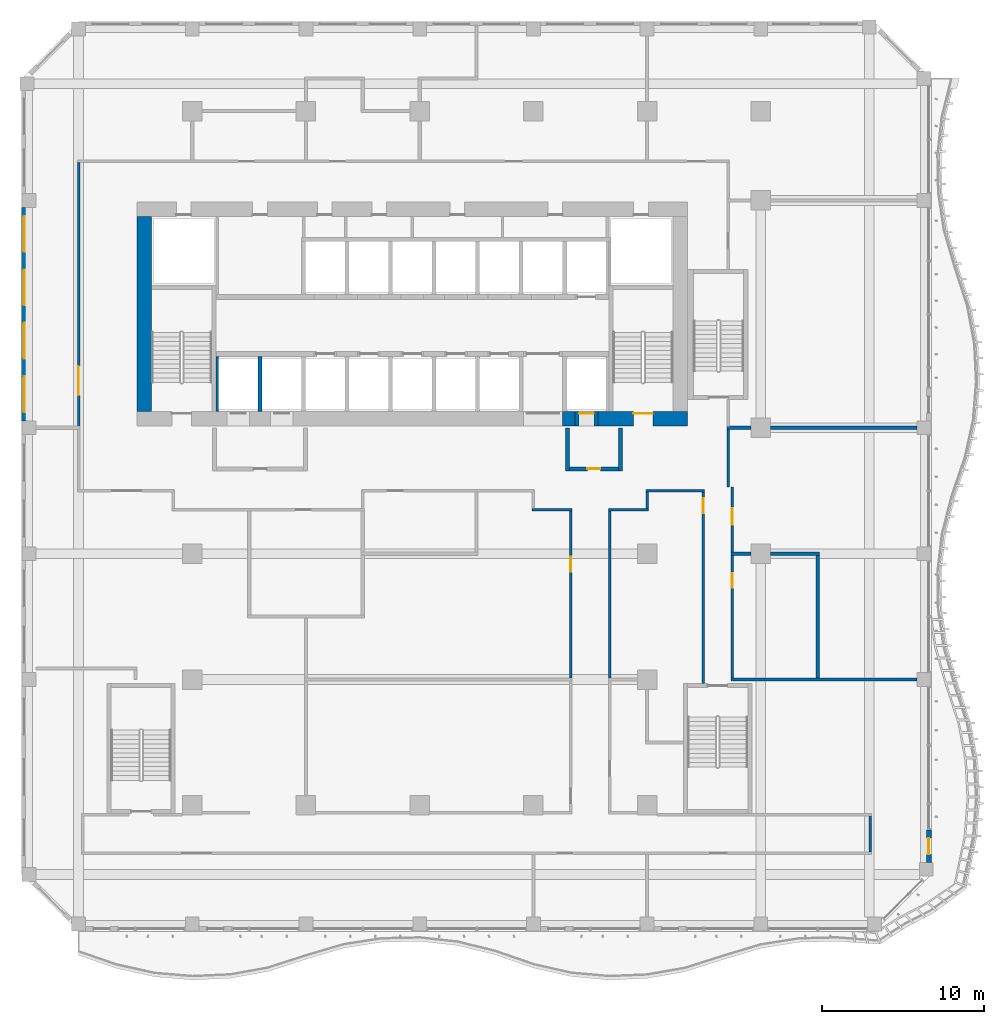
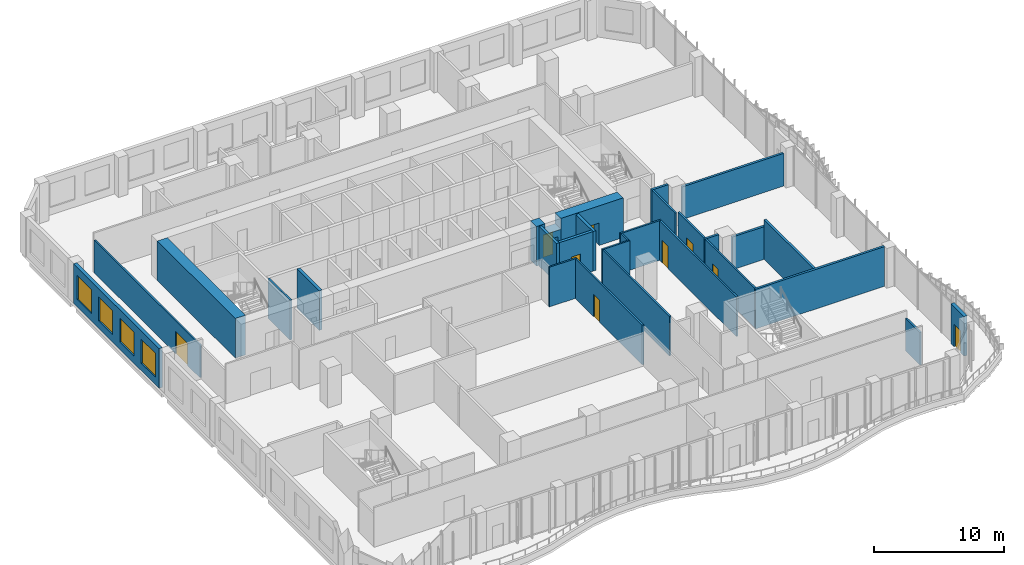
# One storey, part 14 of 26: 29 walls, 9 doors, 4 windows, 13 openings.
"""IFC4 building model written with IfcOpenShell, lengths in metres."""

from ifc_helpers import new_model, si_unit, direction, frame, frame_2d, origin, place, context, subcontext, project, spatial, rectangle, extrude, source, transform, mapped, material, layer, layer_set, type_object, element, fill, save


model = new_model("IFC4")

# Units and contexts
model_context = context("Model", 3, precision=1e-05, world=origin(), true_north=direction((0.0, 1.0)))
body_context = subcontext(model_context, "Body", "Model", "MODEL_VIEW")
ifc_project = project(units=[si_unit("LENGTHUNIT", "METRE"), si_unit("AREAUNIT", "SQUARE_METRE"), si_unit("VOLUMEUNIT", "CUBIC_METRE"), si_unit("PLANEANGLEUNIT", "RADIAN"), si_unit("MASSUNIT", "GRAM", prefix="KILO")], contexts=[model_context])

# Site, building, storey
site_placement = place(None, origin())
site = spatial("IfcSite", under=ifc_project, at=site_placement, CompositionType="ELEMENT")
building_placement = place(site_placement, origin())
building = spatial("IfcBuilding", under=site, at=building_placement, Name="Kilnfold Tower and Market Hall", CompositionType="ELEMENT")
storey_placement = place(building_placement, frame((0.0, 0.0, 104.60009765625)))
storey = spatial("IfcBuildingStorey", under=building, at=storey_placement, Name="L24", CompositionType="ELEMENT", Elevation=104.60009765625)

# Wall, opening, door
ifc_material_1 = material(Name="Gypsum board on steel studs", Category="steel")
ifc_layer_1 = layer(ifc_material_1, 0.14990234375)
ifc_layer_set_1 = layer_set([ifc_layer_1], Name="Gypsum board on steel studs")
wall_type_1 = type_object("IfcWallType", Name="WALL CORRIDOR 150", PredefinedType="PARTITIONING", material=ifc_layer_set_1)
wall_1_placement = place(storey_placement, frame((10.800048828125, -7.409912109375, 0.0), z_axis=(0.0, 0.0, 1.0), x_axis=(0.0, 1.0, 0.0)))
wall_1 = element("IfcWall", 1, at=wall_1_placement, inside=storey, type_object=wall_type_1, Name="Partition LY16.16", PredefinedType="PARTITIONING", context=body_context, shape_type="SweptSolid", body=[
    extrude(rectangle(XDim=10.284912109375, YDim=0.14990234375, at=frame_2d((5.142578125, 0.0))), origin(), (0.0, 0.0, 1.0), 3.719970703125),
])
opening_1_placement = place(wall_1_placement, frame((6.56005859375, 0.0, 0.0)))
opening_1 = element("IfcOpeningElement", 2, at=opening_1_placement, cuts=wall_1, Name="Opening D2", PredefinedType="OPENING", context=body_context, shape_type="SweptSolid", body=[
    extrude(rectangle(XDim=0.89990234375, YDim=2.10009765625, at=frame_2d((0.449951171875, 1.050048828125))), frame((0.0, 0.0849609375, 0.0), z_axis=(0.0, -1.0, 0.0), x_axis=(1.0, 0.0, 0.0)), (0.0, 0.0, 1.0), 0.169921875),
])
ifc_material_2 = material(Name="Timber veneer door leaf in steel frame", Category="steel")
door_type_1 = type_object("IfcDoorType", Name="DOOR ROOM 900 X2100", OperationType="NOTDEFINED", PredefinedType="DOOR", material=ifc_material_2)
door_1_placement = place(opening_1_placement, origin())
door_1 = element("IfcDoor", 3, at=door_1_placement, inside=storey, type_object=door_type_1, Name="Door D2", OperationType="SINGLE_SWING_LEFT", OverallHeight=2.10009765625, OverallWidth=0.89990234375, PredefinedType="DOOR", context=body_context, shape_type="SweptSolid", body=[
    extrude(rectangle(XDim=0.89990234375, YDim=2.10009765625, at=frame_2d((0.449951171875, 1.050048828125))), frame((0.0, 0.02490234375, 0.0), z_axis=(0.0, -1.0, 0.0), x_axis=(1.0, 0.0, 0.0)), (0.0, 0.0, 1.0), 0.050048828125),
])
fill(opening_1, door_1)

# Walls
wall_2_placement = place(storey_placement, frame((8.425048828125, 2.949951171875, 0.0), z_axis=(0.0, 0.0, 1.0), x_axis=(1.0, 0.0, 0.0)))
element("IfcWall", 4, at=wall_2_placement, inside=storey, type_object=wall_type_1, Name="Partition LY16.17", PredefinedType="PARTITIONING", context=body_context, shape_type="SweptSolid", body=[
    extrude(rectangle(XDim=2.449951171875, YDim=0.14990234375, at=frame_2d((1.22509765625, 0.0))), origin(), (0.0, 0.0, 1.0), 3.719970703125),
])
wall_3_placement = place(storey_placement, frame((29.25, -18.125, 0.0), z_axis=(0.0, 0.0, 1.0), x_axis=(0.0, 1.0, 0.0)))
element("IfcWall", 5, at=wall_3_placement, inside=storey, type_object=wall_type_1, Name="Partition LY16.22", PredefinedType="PARTITIONING", context=body_context, shape_type="SweptSolid", body=[
    extrude(rectangle(XDim=2.22509765625, YDim=0.14990234375, at=frame_2d((1.112548828125, 0.0))), origin(), (0.0, 0.0, 1.0), 3.06982421875),
])

# Wall, opening, door
wall_4_placement = place(storey_placement, frame((18.949951171875, 4.050048828125, 0.0), z_axis=(0.0, 0.0, 1.0), x_axis=(0.0, -1.0, 0.0)))
wall_4 = element("IfcWall", 6, at=wall_4_placement, inside=storey, type_object=wall_type_1, Name="Partition LY16.23", PredefinedType="PARTITIONING", context=body_context, shape_type="SweptSolid", body=[
    extrude(rectangle(XDim=11.800048828125, YDim=0.14990234375, at=frame_2d((5.89990234375, 0.0))), origin(), (0.0, 0.0, 1.0), 3.719970703125),
])
opening_2_placement = place(wall_4_placement, frame((0.39990234375, 0.0, 0.0)))
opening_2 = element("IfcOpeningElement", 7, at=opening_2_placement, cuts=wall_4, Name="Opening D2", PredefinedType="OPENING", context=body_context, shape_type="SweptSolid", body=[
    extrude(rectangle(XDim=0.89990234375, YDim=2.10009765625, at=frame_2d((0.449951171875, 1.050048828125))), frame((0.0, 0.0849609375, 0.0), z_axis=(0.0, -1.0, 0.0), x_axis=(1.0, 0.0, 0.0)), (0.0, 0.0, 1.0), 0.169921875),
])
door_2_placement = place(opening_2_placement, origin())
door_2 = element("IfcDoor", 8, at=door_2_placement, inside=storey, type_object=door_type_1, Name="Door D2", OperationType="SINGLE_SWING_LEFT", OverallHeight=2.10009765625, OverallWidth=0.89990234375, PredefinedType="DOOR", context=body_context, shape_type="SweptSolid", body=[
    extrude(rectangle(XDim=0.89990234375, YDim=2.10009765625, at=frame_2d((0.449951171875, 1.050048828125))), frame((0.0, 0.02490234375, 0.0), z_axis=(0.0, -1.0, 0.0), x_axis=(1.0, 0.0, 0.0)), (0.0, 0.0, 1.0), 0.050048828125),
])
fill(opening_2, door_2)

# Walls
wall_5_placement = place(storey_placement, frame((15.425048828125, 4.125, 0.0), z_axis=(0.0, 0.0, 1.0), x_axis=(1.0, 0.0, 0.0)))
element("IfcWall", 9, at=wall_5_placement, inside=storey, type_object=wall_type_1, Name="Partition LY16.24", PredefinedType="PARTITIONING", context=body_context, shape_type="SweptSolid", body=[
    extrude(rectangle(XDim=3.599853515625, YDim=0.14990234375, at=frame_2d((1.7998046875, 0.0))), origin(), (0.0, 0.0, 1.0), 3.719970703125),
])
wall_6_placement = place(storey_placement, frame((15.5, 3.02490234375, 0.0), z_axis=(0.0, 0.0, 1.0), x_axis=(0.0, 1.0, 0.0)))
element("IfcWall", 10, at=wall_6_placement, inside=storey, type_object=wall_type_1, Name="Partition LY16.25", PredefinedType="PARTITIONING", context=body_context, shape_type="SweptSolid", body=[
    extrude(rectangle(XDim=1.025146484375, YDim=0.14990234375, at=frame_2d((0.5126953125, 0.0))), origin(), (0.0, 0.0, 1.0), 3.719970703125),
])
wall_7_placement = place(storey_placement, frame((13.125, 2.949951171875, 0.0), z_axis=(0.0, 0.0, 1.0), x_axis=(1.0, 0.0, 0.0)))
element("IfcWall", 11, at=wall_7_placement, inside=storey, type_object=wall_type_1, Name="Partition LY16.26", PredefinedType="PARTITIONING", context=body_context, shape_type="SweptSolid", body=[
    extrude(rectangle(XDim=2.449951171875, YDim=0.14990234375, at=frame_2d((1.22509765625, 0.0))), origin(), (0.0, 0.0, 1.0), 3.719970703125),
])
wall_8_placement = place(storey_placement, frame((13.199951171875, -7.409912109375, 0.0), z_axis=(0.0, 0.0, 1.0), x_axis=(0.0, 1.0, 0.0)))
element("IfcWall", 12, at=wall_8_placement, inside=storey, type_object=wall_type_1, Name="Partition LY16.27", PredefinedType="PARTITIONING", context=body_context, shape_type="SweptSolid", body=[
    extrude(rectangle(XDim=10.284912109375, YDim=0.14990234375, at=frame_2d((5.142578125, 0.0))), origin(), (0.0, 0.0, 1.0), 3.719970703125),
])

# Wall, opening, door
wall_9_placement = place(storey_placement, frame((20.75, -7.409912109375, 0.0), z_axis=(0.0, 0.0, 1.0), x_axis=(0.0, 1.0, 0.0)))
wall_9 = element("IfcWall", 13, at=wall_9_placement, inside=storey, type_object=wall_type_1, Name="Partition LY16.28", PredefinedType="PARTITIONING", context=body_context, shape_type="SweptSolid", body=[
    extrude(rectangle(XDim=7.56982421875, YDim=0.14990234375, at=frame_2d((3.784912109375, 0.0))), origin(), (0.0, 0.0, 1.0), 3.719970703125),
])
opening_3_placement = place(wall_9_placement, frame((5.56005859375, 0.0, 0.0)))
opening_3 = element("IfcOpeningElement", 14, at=opening_3_placement, cuts=wall_9, Name="Opening D2", PredefinedType="OPENING", context=body_context, shape_type="SweptSolid", body=[
    extrude(rectangle(XDim=0.89990234375, YDim=2.10009765625, at=frame_2d((0.449951171875, 1.050048828125))), frame((0.0, 0.0849609375, 0.0), z_axis=(0.0, -1.0, 0.0), x_axis=(1.0, 0.0, 0.0)), (0.0, 0.0, 1.0), 0.169921875),
])
door_3_placement = place(opening_3_placement, origin())
door_3 = element("IfcDoor", 15, at=door_3_placement, inside=storey, type_object=door_type_1, Name="Door D2", OperationType="SINGLE_SWING_RIGHT", OverallHeight=2.10009765625, OverallWidth=0.89990234375, PredefinedType="DOOR", context=body_context, shape_type="SweptSolid", body=[
    extrude(rectangle(XDim=0.89990234375, YDim=2.10009765625, at=frame_2d((0.449951171875, 1.050048828125))), frame((0.0, 0.02490234375, 0.0), z_axis=(0.0, -1.0, 0.0), x_axis=(1.0, 0.0, 0.0)), (0.0, 0.0, 1.0), 0.050048828125),
])
fill(opening_3, door_3)

# Wall
wall_10_placement = place(storey_placement, frame((20.5, 4.35009765625, 0.0), z_axis=(0.0, 0.0, 1.0), x_axis=(0.0, 1.0, 0.0)))
element("IfcWall", 16, at=wall_10_placement, inside=storey, type_object=wall_type_1, Name="Partition LY16.29", PredefinedType="PARTITIONING", context=body_context, shape_type="SweptSolid", body=[
    extrude(rectangle(XDim=3.559814453125, YDim=0.14990234375, at=frame_2d((1.77978515625, 0.0))), origin(), (0.0, 0.0, 1.0), 3.719970703125),
])

# Wall, opening, door
wall_11_placement = place(storey_placement, frame((20.75, 0.340087890625, 0.0), z_axis=(0.0, 0.0, 1.0), x_axis=(0.0, 1.0, 0.0)))
wall_11 = element("IfcWall", 17, at=wall_11_placement, inside=storey, type_object=wall_type_1, Name="Partition LY16.30", PredefinedType="PARTITIONING", context=body_context, shape_type="SweptSolid", body=[
    extrude(rectangle(XDim=4.010009765625, YDim=0.14990234375, at=frame_2d((2.0048828125, 0.0))), origin(), (0.0, 0.0, 1.0), 3.719970703125),
])
opening_4_placement = place(wall_11_placement, frame((1.7060546875, 0.0, 0.0)))
opening_4 = element("IfcOpeningElement", 18, at=opening_4_placement, cuts=wall_11, Name="Opening D1", PredefinedType="OPENING", context=body_context, shape_type="SweptSolid", body=[
    extrude(rectangle(XDim=1.0, YDim=2.10009765625, at=frame_2d((0.5, 1.050048828125))), frame((0.0, 0.0849609375, 0.0), z_axis=(0.0, -1.0, 0.0), x_axis=(1.0, 0.0, 0.0)), (0.0, 0.0, 1.0), 0.169921875),
])
ifc_material_3 = material(Name="Timber veneer door leaf in steel frame", Category="steel")
door_type_2 = type_object("IfcDoorType", Name="DOOR ENTRY 1000 X2100", OperationType="NOTDEFINED", PredefinedType="DOOR", material=ifc_material_3)
door_4_placement = place(opening_4_placement, origin())
door_4 = element("IfcDoor", 19, at=door_4_placement, inside=storey, type_object=door_type_2, Name="Door D1", OperationType="SINGLE_SWING_RIGHT", OverallHeight=2.10009765625, OverallWidth=1.0, PredefinedType="DOOR", context=body_context, shape_type="SweptSolid", body=[
    extrude(rectangle(XDim=1.0, YDim=2.10009765625, at=frame_2d((0.5, 1.050048828125))), frame((0.0, 0.02490234375, 0.0), z_axis=(0.0, -1.0, 0.0), x_axis=(1.0, 0.0, 0.0)), (0.0, 0.0, 1.0), 0.050048828125),
])
fill(opening_4, door_4)

wall_12_placement = place(storey_placement, frame((-19.5, 8.090087890625, 0.0), z_axis=(0.0, 0.0, 1.0), x_axis=(0.0, 1.0, 0.0)))
wall_12 = element("IfcWall", 20, at=wall_12_placement, inside=storey, type_object=wall_type_1, Name="Partition LY16.34", PredefinedType="PARTITIONING", context=body_context, shape_type="SweptSolid", body=[
    extrude(rectangle(XDim=16.23486328125, YDim=0.14990234375, at=frame_2d((8.117431640625, 0.0))), origin(), (0.0, 0.0, 1.0), 3.06982421875),
])
opening_5_placement = place(wall_12_placement, frame((1.904052734375, 0.0, 0.0)))
opening_5 = element("IfcOpeningElement", 21, at=opening_5_placement, cuts=wall_12, Name="Opening D5", PredefinedType="OPENING", context=body_context, shape_type="SweptSolid", body=[
    extrude(rectangle(XDim=1.800048828125, YDim=2.10009765625, at=frame_2d((0.89990234375, 1.050048828125))), frame((0.0, 0.0849609375, 0.0), z_axis=(0.0, -1.0, 0.0), x_axis=(1.0, 0.0, 0.0)), (0.0, 0.0, 1.0), 0.169921875),
])
ifc_material_4 = material(Name="Timber veneer door leaf in steel frame", Category="steel")
door_type_3 = type_object("IfcDoorType", Name="DOOR DOUBLE 1800 X2100", OperationType="NOTDEFINED", PredefinedType="DOOR", material=ifc_material_4)
door_5_placement = place(opening_5_placement, origin())
door_5 = element("IfcDoor", 22, at=door_5_placement, inside=storey, type_object=door_type_3, Name="Door D5", OperationType="DOUBLE_DOOR_SINGLE_SWING", OverallHeight=2.10009765625, OverallWidth=1.800048828125, PredefinedType="DOOR", context=body_context, shape_type="SweptSolid", body=[
    extrude(rectangle(XDim=1.800048828125, YDim=2.10009765625, at=frame_2d((0.89990234375, 1.050048828125))), frame((0.0, 0.02490234375, 0.0), z_axis=(0.0, -1.0, 0.0), x_axis=(1.0, 0.0, 0.0)), (0.0, 0.0, 1.0), 0.050048828125),
])
fill(opening_5, door_5)

# Walls
ifc_material_5 = material(Name="Gypsum board on steel studs", Category="steel")
ifc_layer_2 = layer(ifc_material_5, 0.199951171875)
ifc_layer_set_2 = layer_set([ifc_layer_2], Name="Gypsum board on steel studs")
wall_type_2 = type_object("IfcWallType", Name="WALL PARTY 200", PredefinedType="PARTITIONING", material=ifc_layer_set_2)
wall_13_placement = place(storey_placement, frame((20.676025390625, -7.5, 0.0), z_axis=(0.0, 0.0, 1.0), x_axis=(1.0, 0.0, 0.0)))
element("IfcWall", 23, at=wall_13_placement, inside=storey, type_object=wall_type_2, Name="Partition LY16.53", PredefinedType="PARTITIONING", context=body_context, shape_type="SweptSolid", body=[
    extrude(rectangle(XDim=11.448974609375, YDim=0.199951171875, at=frame_2d((5.724609375, 0.0))), origin(), (0.0, 0.0, 1.0), 3.719970703125),
])
wall_14_placement = place(storey_placement, frame((20.676025390625, 0.25, 0.0), z_axis=(0.0, 0.0, 1.0), x_axis=(1.0, 0.0, 0.0)))
element("IfcWall", 24, at=wall_14_placement, inside=storey, type_object=wall_type_2, Name="Partition LY16.54", PredefinedType="PARTITIONING", context=body_context, shape_type="SweptSolid", body=[
    extrude(rectangle(XDim=1.223876953125, YDim=0.199951171875, at=frame_2d((0.61181640625, 0.0))), origin(), (0.0, 0.0, 1.0), 3.719970703125),
])
wall_15_placement = place(storey_placement, frame((23.10009765625, 0.25, 0.0), z_axis=(0.0, 0.0, 1.0), x_axis=(1.0, 0.0, 0.0)))
element("IfcWall", 25, at=wall_15_placement, inside=storey, type_object=wall_type_2, Name="Partition LY16.55", PredefinedType="PARTITIONING", context=body_context, shape_type="SweptSolid", body=[
    extrude(rectangle(XDim=3.0, YDim=0.199951171875, at=frame_2d((1.5, 0.0))), origin(), (0.0, 0.0, 1.0), 3.06982421875),
])
wall_16_placement = place(storey_placement, frame((26.0, -7.39990234375, 0.0), z_axis=(0.0, 0.0, 1.0), x_axis=(0.0, 1.0, 0.0)))
element("IfcWall", 26, at=wall_16_placement, inside=storey, type_object=wall_type_2, Name="Partition LY16.56", PredefinedType="PARTITIONING", context=body_context, shape_type="SweptSolid", body=[
    extrude(rectangle(XDim=7.5498046875, YDim=0.199951171875, at=frame_2d((3.77490234375, 0.0))), origin(), (0.0, 0.0, 1.0), 3.719970703125),
])
wall_17_placement = place(storey_placement, frame((20.426025390625, 8.0, 0.0), z_axis=(0.0, 0.0, 1.0), x_axis=(1.0, 0.0, 0.0)))
element("IfcWall", 27, at=wall_17_placement, inside=storey, type_object=wall_type_2, Name="Partition LY16.57", PredefinedType="PARTITIONING", context=body_context, shape_type="SweptSolid", body=[
    extrude(rectangle(XDim=1.473876953125, YDim=0.199951171875, at=frame_2d((0.73681640625, 0.0))), origin(), (0.0, 0.0, 1.0), 3.719970703125),
])
wall_18_placement = place(storey_placement, frame((23.10009765625, 8.0, 0.0), z_axis=(0.0, 0.0, 1.0), x_axis=(1.0, 0.0, 0.0)))
element("IfcWall", 28, at=wall_18_placement, inside=storey, type_object=wall_type_2, Name="Partition LY16.58", PredefinedType="PARTITIONING", context=body_context, shape_type="SweptSolid", body=[
    extrude(rectangle(XDim=9.02490234375, YDim=0.199951171875, at=frame_2d((4.512451171875, 0.0))), origin(), (0.0, 0.0, 1.0), 3.06982421875),
])
ifc_material_6 = material(Name="Concrete C70", Category="concrete")
ifc_layer_3 = layer(ifc_material_6, 0.89990234375)
ifc_layer_set_3 = layer_set([ifc_layer_3], Name="Concrete C70")
wall_type_3 = type_object("IfcWallType", Name="CORE WALL 900 C70", PredefinedType="SHEAR", material=ifc_layer_set_3)
shared_shape_1 = source(origin(), body_context, "Body", "SweptSolid", [
    extrude(rectangle(XDim=0.780029296875, YDim=0.89990234375, at=frame_2d((0.39013671875, 0.0))), origin(), (0.0, 0.0, 1.0), 3.719970703125),
])
wall_19_placement = place(storey_placement, frame((10.2900390625, 8.550048828125, 0.0), z_axis=(0.0, 0.0, 1.0), x_axis=(1.0, 0.0, 0.0)))
element("IfcWall", 29, at=wall_19_placement, inside=storey, type_object=wall_type_3, Name="Core outer wall south", PredefinedType="SHEAR", context=body_context, shape_type="MappedRepresentation", body=[
    mapped(shared_shape_1, transform((0.0, 0.0, 0.0))),
])

# Wall, opening, door
shared_shape_2 = source(origin(), body_context, "Body", "SweptSolid", [
    extrude(rectangle(XDim=5.530029296875, YDim=0.89990234375, at=frame_2d((2.76513671875, 0.0))), origin(), (0.0, 0.0, 1.0), 3.719970703125),
])
wall_20_placement = place(storey_placement, frame((12.469970703125, 8.550048828125, 0.0), z_axis=(0.0, 0.0, 1.0), x_axis=(1.0, 0.0, 0.0)))
wall_20 = element("IfcWall", 30, at=wall_20_placement, inside=storey, type_object=wall_type_3, Name="Core outer wall south", PredefinedType="SHEAR", context=body_context, shape_type="MappedRepresentation", body=[
    mapped(shared_shape_2, transform((0.0, 0.0, 0.0))),
])
opening_6_placement = place(wall_20_placement, frame((2.179931640625, 0.0, 0.0)))
opening_6 = element("IfcOpeningElement", 31, at=opening_6_placement, cuts=wall_20, Name="Opening SD1", PredefinedType="OPENING", context=body_context, shape_type="SweptSolid", body=[
    extrude(rectangle(XDim=1.199951171875, YDim=2.10009765625, at=frame_2d((0.60009765625, 1.050048828125))), frame((0.0, 0.4599609375, 0.0), z_axis=(0.0, -1.0, 0.0), x_axis=(1.0, 0.0, 0.0)), (0.0, 0.0, 1.0), 0.919921875),
])
ifc_material_7 = material(Name="Steel door set with fire-resisting leaf", Category="steel")
door_type_4 = type_object("IfcDoorType", Name="STAIR FLOOR DOOR 1200X2100", OperationType="NOTDEFINED", PredefinedType="DOOR", material=ifc_material_7)
door_6_placement = place(opening_6_placement, origin())
door_6 = element("IfcDoor", 32, at=door_6_placement, inside=storey, type_object=door_type_4, Name="Exit stair ST2 door", OperationType="DOUBLE_DOOR_SINGLE_SWING", OverallHeight=2.10009765625, OverallWidth=1.199951171875, PredefinedType="DOOR", context=body_context, shape_type="SweptSolid", body=[
    extrude(rectangle(XDim=1.199951171875, YDim=2.10009765625, at=frame_2d((0.60009765625, 1.050048828125))), frame((0.0, 0.35498046875, 0.0), z_axis=(0.0, -1.0, 0.0), x_axis=(1.0, 0.0, 0.0)), (0.0, 0.0, 1.0), 0.050048828125),
])
fill(opening_6, door_6)

# Wall
shared_shape_3 = source(origin(), body_context, "Body", "SweptSolid", [
    extrude(rectangle(XDim=12.0, YDim=0.89990234375, at=frame_2d((6.0, 0.0))), origin(), (0.0, 0.0, 1.0), 3.719970703125),
])
wall_21_placement = place(storey_placement, frame((-15.449951171875, 9.0, 0.0), z_axis=(0.0, 0.0, 1.0), x_axis=(0.0, 1.0, 0.0)))
element("IfcWall", 33, at=wall_21_placement, inside=storey, type_object=wall_type_3, Name="Core outer wall west", PredefinedType="SHEAR", context=body_context, shape_type="MappedRepresentation", body=[
    mapped(shared_shape_3, transform((0.0, 0.0, 0.0))),
])

# Wall, opening, door
ifc_material_8 = material(Name="Precast concrete C50/60", Category="concrete")
ifc_layer_4 = layer(ifc_material_8, 0.300048828125)
ifc_layer_set_4 = layer_set([ifc_layer_4], Name="Precast concrete C50/60")
wall_type_4 = type_object("IfcWallType", Name="PRECAST WALL 300", PredefinedType="SOLIDWALL", material=ifc_layer_set_4)
shared_shape_4 = source(origin(), body_context, "Body", "SweptSolid", [
    extrude(rectangle(XDim=2.0, YDim=0.300048828125, at=frame_2d((1.0, 0.0))), origin(), (0.0, 0.0, 1.0), 3.719970703125),
])
wall_22_placement = place(storey_placement, frame((32.85009765625, -18.7568359375, 0.0), z_axis=(0.0, 0.0, 1.0), x_axis=(0.0, 1.0, 0.0)))
wall_22 = element("IfcWall", 34, at=wall_22_placement, inside=storey, type_object=wall_type_4, Name="External wall L24 E", PredefinedType="SOLIDWALL", context=body_context, shape_type="MappedRepresentation", body=[
    mapped(shared_shape_4, transform((0.0, 0.0, 0.0))),
])
opening_7_placement = place(wall_22_placement, frame((0.5, 0.0, 0.0)))
opening_7 = element("IfcOpeningElement", 35, at=opening_7_placement, cuts=wall_22, Name="Opening BD1", PredefinedType="OPENING", context=body_context, shape_type="SweptSolid", body=[
    extrude(rectangle(XDim=1.0, YDim=2.10009765625, at=frame_2d((0.5, 1.050048828125))), frame((0.0, 0.16015625, 0.0), z_axis=(0.0, -1.0, 0.0), x_axis=(1.0, 0.0, 0.0)), (0.0, 0.0, 1.0), 0.320068359375),
])
ifc_material_9 = material(Name="Aluminium frame and double glazing", Category="aluminium")
door_type_5 = type_object("IfcDoorType", Name="BALCONY DOOR 1000X2100", OperationType="NOTDEFINED", PredefinedType="DOOR", material=ifc_material_9)
door_7_placement = place(opening_7_placement, origin())
door_7 = element("IfcDoor", 36, at=door_7_placement, inside=storey, type_object=door_type_5, Name="Balcony door BD1 L24 E-1", OperationType="SINGLE_SWING_LEFT", OverallHeight=2.10009765625, OverallWidth=1.0, PredefinedType="DOOR", context=body_context, shape_type="SweptSolid", body=[
    extrude(rectangle(XDim=1.0, YDim=2.10009765625, at=frame_2d((0.5, 1.050048828125))), frame((0.0, 0.02490234375, 0.0), z_axis=(0.0, -1.0, 0.0), x_axis=(1.0, 0.0, 0.0)), (0.0, 0.0, 1.0), 0.050048828125),
])
fill(opening_7, door_7)

# Wall, openings, windows
shared_shape_5 = source(origin(), body_context, "Body", "SweptSolid", [
    extrude(rectangle(XDim=13.14990234375, YDim=0.300048828125, at=frame_2d((6.574951171875, 0.0))), origin(), (0.0, 0.0, 1.0), 3.719970703125),
])
wall_23_placement = place(storey_placement, frame((-22.85009765625, 21.574951171875, 0.0), z_axis=(0.0, 0.0, 1.0), x_axis=(0.0, -1.0, 0.0)))
wall_23 = element("IfcWall", 37, at=wall_23_placement, inside=storey, type_object=wall_type_4, Name="External wall L24 W", PredefinedType="SOLIDWALL", context=body_context, shape_type="MappedRepresentation", body=[
    mapped(shared_shape_5, transform((0.0, 0.0, 0.0))),
])
opening_8_placement = place(wall_23_placement, frame((0.543701171875, 0.0, 0.699951171875)))
opening_8 = element("IfcOpeningElement", 38, at=opening_8_placement, cuts=wall_23, Name="Opening W1", PredefinedType="OPENING", context=body_context, shape_type="SweptSolid", body=[
    extrude(rectangle(XDim=2.199951171875, YDim=2.25, at=frame_2d((1.10009765625, 1.125))), frame((0.0, 0.16015625, 0.0), z_axis=(0.0, -1.0, 0.0), x_axis=(1.0, 0.0, 0.0)), (0.0, 0.0, 1.0), 0.320068359375),
])
opening_9_placement = place(wall_23_placement, frame((3.831298828125, 0.0, 0.699951171875)))
opening_9 = element("IfcOpeningElement", 39, at=opening_9_placement, cuts=wall_23, Name="Opening W1", PredefinedType="OPENING", context=body_context, shape_type="SweptSolid", body=[
    extrude(rectangle(XDim=2.199951171875, YDim=2.25, at=frame_2d((1.10009765625, 1.125))), frame((0.0, 0.16015625, 0.0), z_axis=(0.0, -1.0, 0.0), x_axis=(1.0, 0.0, 0.0)), (0.0, 0.0, 1.0), 0.320068359375),
])
opening_10_placement = place(wall_23_placement, frame((7.118896484375, 0.0, 0.699951171875)))
opening_10 = element("IfcOpeningElement", 40, at=opening_10_placement, cuts=wall_23, Name="Opening W1", PredefinedType="OPENING", context=body_context, shape_type="SweptSolid", body=[
    extrude(rectangle(XDim=2.199951171875, YDim=2.25, at=frame_2d((1.10009765625, 1.125))), frame((0.0, 0.16015625, 0.0), z_axis=(0.0, -1.0, 0.0), x_axis=(1.0, 0.0, 0.0)), (0.0, 0.0, 1.0), 0.320068359375),
])
opening_11_placement = place(wall_23_placement, frame((10.40625, 0.0, 0.699951171875)))
opening_11 = element("IfcOpeningElement", 41, at=opening_11_placement, cuts=wall_23, Name="Opening W1", PredefinedType="OPENING", context=body_context, shape_type="SweptSolid", body=[
    extrude(rectangle(XDim=2.199951171875, YDim=2.25, at=frame_2d((1.10009765625, 1.125))), frame((0.0, 0.16015625, 0.0), z_axis=(0.0, -1.0, 0.0), x_axis=(1.0, 0.0, 0.0)), (0.0, 0.0, 1.0), 0.320068359375),
])
ifc_material_10 = material(Name="Aluminium frame and double glazing", Category="aluminium")
window_type = type_object("IfcWindowType", Name="WINDOW W1 2200X2250", PartitioningType="SINGLE_PANEL", PredefinedType="WINDOW", material=ifc_material_10)
window_1_placement = place(opening_8_placement, origin())
window_1 = element("IfcWindow", 42, at=window_1_placement, inside=storey, type_object=window_type, Name="Window W1 L24 W-1", OverallHeight=2.25, OverallWidth=2.199951171875, PartitioningType="SINGLE_PANEL", PredefinedType="WINDOW", context=body_context, shape_type="SweptSolid", body=[
    extrude(rectangle(XDim=2.199951171875, YDim=2.25, at=frame_2d((1.10009765625, 1.125))), frame((0.0, 0.030029296875, 0.0), z_axis=(0.0, -1.0, 0.0), x_axis=(1.0, 0.0, 0.0)), (0.0, 0.0, 1.0), 0.06005859375),
])
fill(opening_8, window_1)
window_2_placement = place(opening_9_placement, origin())
window_2 = element("IfcWindow", 43, at=window_2_placement, inside=storey, type_object=window_type, Name="Window W1 L24 W-2", OverallHeight=2.25, OverallWidth=2.199951171875, PartitioningType="SINGLE_PANEL", PredefinedType="WINDOW", context=body_context, shape_type="SweptSolid", body=[
    extrude(rectangle(XDim=2.199951171875, YDim=2.25, at=frame_2d((1.10009765625, 1.125))), frame((0.0, 0.030029296875, 0.0), z_axis=(0.0, -1.0, 0.0), x_axis=(1.0, 0.0, 0.0)), (0.0, 0.0, 1.0), 0.06005859375),
])
fill(opening_9, window_2)
window_3_placement = place(opening_10_placement, origin())
window_3 = element("IfcWindow", 44, at=window_3_placement, inside=storey, type_object=window_type, Name="Window W1 L24 W-3", OverallHeight=2.25, OverallWidth=2.199951171875, PartitioningType="SINGLE_PANEL", PredefinedType="WINDOW", context=body_context, shape_type="SweptSolid", body=[
    extrude(rectangle(XDim=2.199951171875, YDim=2.25, at=frame_2d((1.10009765625, 1.125))), frame((0.0, 0.030029296875, 0.0), z_axis=(0.0, -1.0, 0.0), x_axis=(1.0, 0.0, 0.0)), (0.0, 0.0, 1.0), 0.06005859375),
])
fill(opening_10, window_3)
window_4_placement = place(opening_11_placement, origin())
window_4 = element("IfcWindow", 45, at=window_4_placement, inside=storey, type_object=window_type, Name="Window W1 L24 W-4", OverallHeight=2.25, OverallWidth=2.199951171875, PartitioningType="SINGLE_PANEL", PredefinedType="WINDOW", context=body_context, shape_type="SweptSolid", body=[
    extrude(rectangle(XDim=2.199951171875, YDim=2.25, at=frame_2d((1.10009765625, 1.125))), frame((0.0, 0.030029296875, 0.0), z_axis=(0.0, -1.0, 0.0), x_axis=(1.0, 0.0, 0.0)), (0.0, 0.0, 1.0), 0.06005859375),
])
fill(opening_11, window_4)

# Walls
ifc_material_11 = material(Name="Gypsum shaft wall system")
ifc_layer_5 = layer(ifc_material_11, 0.25)
ifc_layer_set_5 = layer_set([ifc_layer_5], Name="Gypsum shaft wall system")
wall_type_5 = type_object("IfcWallType", Name="LOBBY WALL 250", PredefinedType="PARTITIONING", material=ifc_layer_set_5)
shared_shape_6 = source(origin(), body_context, "Body", "SweptSolid", [
    extrude(rectangle(XDim=2.64990234375, YDim=0.25, at=frame_2d((1.324951171875, 0.0))), origin(), (0.0, 0.0, 1.0), 3.719970703125),
])
for number, where, z_axis, x_axis, name in (
    (46, (10.60498046875, 5.35009765625, 0.0), (0.0, 0.0, 1.0), (0.0, 1.0, 0.0), "Firefighting lobby wall"),
    (47, (13.85498046875, 5.35009765625, 0.0), (0.0, 0.0, 1.0), (0.0, 1.0, 0.0), "Firefighting lobby wall"),
):
    element("IfcWall", number, at=place(storey_placement, frame(where, z_axis=z_axis, x_axis=x_axis)), inside=storey, type_object=wall_type_5, Name=name, PredefinedType="PARTITIONING", context=body_context, shape_type="MappedRepresentation", body=[
        mapped(shared_shape_6, transform((0.0, 0.0, 0.0))),
    ])

# Wall, opening, door
shared_shape_7 = source(origin(), body_context, "Body", "SweptSolid", [
    extrude(rectangle(XDim=3.0, YDim=0.25, at=frame_2d((1.5, 0.0))), origin(), (0.0, 0.0, 1.0), 3.719970703125),
])
wall_24_placement = place(storey_placement, frame((10.72998046875, 5.47509765625, 0.0), z_axis=(0.0, 0.0, 1.0), x_axis=(1.0, 0.0, 0.0)))
wall_24 = element("IfcWall", 48, at=wall_24_placement, inside=storey, type_object=wall_type_5, Name="Firefighting lobby wall", PredefinedType="PARTITIONING", context=body_context, shape_type="MappedRepresentation", body=[
    mapped(shared_shape_7, transform((0.0, 0.0, 0.0))),
])
opening_12_placement = place(wall_24_placement, frame((1.10009765625, 0.0, 0.0)))
opening_12 = element("IfcOpeningElement", 49, at=opening_12_placement, cuts=wall_24, Name="Opening VD1", PredefinedType="OPENING", context=body_context, shape_type="SweptSolid", body=[
    extrude(rectangle(XDim=0.800048828125, YDim=2.0, at=frame_2d((0.39990234375, 1.0))), frame((0.0, 0.135009765625, 0.0), z_axis=(0.0, -1.0, 0.0), x_axis=(1.0, 0.0, 0.0)), (0.0, 0.0, 1.0), 0.27001953125),
])
ifc_material_12 = material(Name="Steel door set with fire-resisting leaf", Category="steel")
door_type_6 = type_object("IfcDoorType", Name="FIREFIGHTING LOBBY DOOR 800X2000", OperationType="NOTDEFINED", PredefinedType="DOOR", material=ifc_material_12)
door_8_placement = place(opening_12_placement, origin())
door_8 = element("IfcDoor", 50, at=door_8_placement, inside=storey, type_object=door_type_6, Name="Firefighting lobby door", OperationType="SINGLE_SWING_RIGHT", OverallHeight=2.0, OverallWidth=0.800048828125, PredefinedType="DOOR", context=body_context, shape_type="SweptSolid", body=[
    extrude(rectangle(XDim=0.800048828125, YDim=2.0, at=frame_2d((0.39990234375, 1.0))), frame((0.0, 0.02490234375, 0.0), z_axis=(0.0, -1.0, 0.0), x_axis=(1.0, 0.0, 0.0)), (0.0, 0.0, 1.0), 0.050048828125),
])
fill(opening_12, door_8)

# Walls
ifc_material_13 = material(Name="Gypsum shaft wall system")
ifc_layer_6 = layer(ifc_material_13, 0.25)
ifc_layer_set_6 = layer_set([ifc_layer_6], Name="Gypsum shaft wall system")
wall_type_6 = type_object("IfcWallType", Name="SHAFT WALL 250", PredefinedType="PARTITIONING", material=ifc_layer_set_6)
shared_shape_8 = source(origin(), body_context, "Body", "SweptSolid", [
    extrude(rectangle(XDim=3.39990234375, YDim=0.25, at=frame_2d((1.699951171875, 0.0))), origin(), (0.0, 0.0, 1.0), 3.719970703125),
])
wall_25_placement = place(storey_placement, frame((-8.330078125, 9.0, 0.0), z_axis=(0.0, 0.0, 1.0), x_axis=(0.0, 1.0, 0.0)))
element("IfcWall", 51, at=wall_25_placement, inside=storey, type_object=wall_type_6, Name="Lift shaft wall", PredefinedType="PARTITIONING", context=body_context, shape_type="MappedRepresentation", body=[
    mapped(shared_shape_8, transform((0.0, 0.0, 0.0))),
])
ifc_material_14 = material(Name="Gypsum shaft wall system")
ifc_layer_7 = layer(ifc_material_14, 0.1650390625)
ifc_layer_set_7 = layer_set([ifc_layer_7], Name="Gypsum shaft wall system")
wall_type_7 = type_object("IfcWallType", Name="SHAFT WALL 165", PredefinedType="PARTITIONING", material=ifc_layer_set_7)
shared_shape_9 = source(origin(), body_context, "Body", "SweptSolid", [
    extrude(rectangle(XDim=3.39990234375, YDim=0.1650390625, at=frame_2d((1.699951171875, 0.0))), origin(), (0.0, 0.0, 1.0), 3.719970703125),
])
wall_26_placement = place(storey_placement, frame((-10.967529296875, 9.0, 0.0), z_axis=(0.0, 0.0, 1.0), x_axis=(0.0, 1.0, 0.0)))
element("IfcWall", 52, at=wall_26_placement, inside=storey, type_object=wall_type_7, Name="Lift shaft wall", PredefinedType="PARTITIONING", context=body_context, shape_type="MappedRepresentation", body=[
    mapped(shared_shape_9, transform((0.0, 0.0, 0.0))),
])

# Wall, opening, door
ifc_material_15 = material(Name="Gypsum shaft wall system")
ifc_layer_8 = layer(ifc_material_15, 0.89990234375)
ifc_layer_set_8 = layer_set([ifc_layer_8], Name="Gypsum shaft wall system")
wall_type_8 = type_object("IfcWallType", Name="LOBBY WALL 900", PredefinedType="PARTITIONING", material=ifc_layer_set_8)
shared_shape_10 = source(origin(), body_context, "Body", "SweptSolid", [
    extrude(rectangle(XDim=1.39990234375, YDim=0.89990234375, at=frame_2d((0.699951171875, 0.0))), origin(), (0.0, 0.0, 1.0), 2.699951171875),
])
wall_27_placement = place(storey_placement, frame((11.070068359375, 8.550048828125, 0.0), z_axis=(0.0, 0.0, 1.0), x_axis=(1.0, 0.0, 0.0)))
wall_27 = element("IfcWall", 53, at=wall_27_placement, inside=storey, type_object=wall_type_8, Name="Core wall infill", PredefinedType="PARTITIONING", context=body_context, shape_type="MappedRepresentation", body=[
    mapped(shared_shape_10, transform((0.0, 0.0, 0.0))),
])
opening_13_placement = place(wall_27_placement, frame((0.25, 0.0, 0.0)))
opening_13 = element("IfcOpeningElement", 54, at=opening_13_placement, cuts=wall_27, Name="Opening LD1", PredefinedType="OPENING", context=body_context, shape_type="SweptSolid", body=[
    extrude(rectangle(XDim=0.89990234375, YDim=2.10009765625, at=frame_2d((0.449951171875, 1.050048828125))), frame((0.0, 0.4599609375, 0.0), z_axis=(0.0, -1.0, 0.0), x_axis=(1.0, 0.0, 0.0)), (0.0, 0.0, 1.0), 0.919921875),
])
ifc_material_16 = material(Name="Steel door set with fire-resisting leaf", Category="steel")
door_type_7 = type_object("IfcDoorType", Name="FIREFIGHTING LANDING DOOR 900X2100", OperationType="NOTDEFINED", PredefinedType="DOOR", material=ifc_material_16)
door_9_placement = place(opening_13_placement, origin())
door_9 = element("IfcDoor", 55, at=door_9_placement, inside=storey, type_object=door_type_7, Name="Landing door FF3", OperationType="SLIDING_TO_LEFT", OverallHeight=2.10009765625, OverallWidth=0.89990234375, PredefinedType="DOOR", context=body_context, shape_type="SweptSolid", body=[
    extrude(rectangle(XDim=0.89990234375, YDim=2.10009765625, at=frame_2d((0.449951171875, 1.050048828125))), frame((0.0, 0.35498046875, 0.0), z_axis=(0.0, -1.0, 0.0), x_axis=(1.0, 0.0, 0.0)), (0.0, 0.0, 1.0), 0.050048828125),
])
fill(opening_13, door_9)

save(model, "model.ifc")
